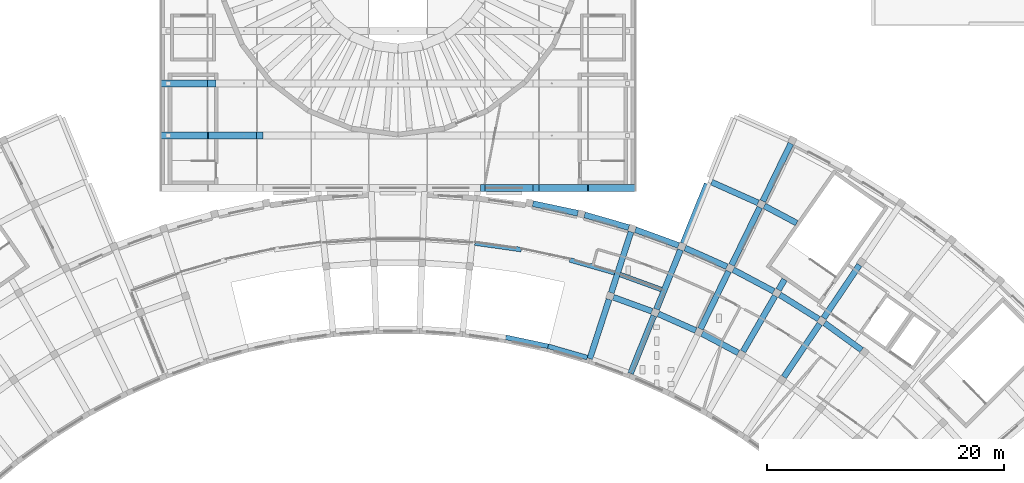
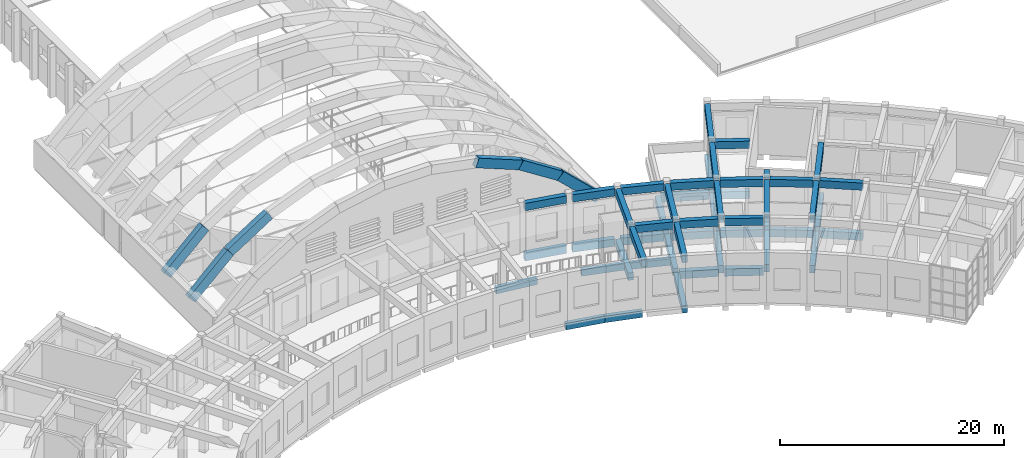
# One storey, part 11 of 94: 55 beams.
"""IFC4 building model written with IfcOpenShell, lengths in metres."""

from ifc_helpers import new_model, si_unit, direction, frame, origin, origin_2d, place, context, subcontext, project, spatial, rectangle, extrude, material, material_profile, profile_set, type_object, element, save


model = new_model("IFC4")

# Units and contexts
model_context = context("Model", 3, precision=1e-05, world=origin(), true_north=direction((0.0, 1.0)))
body_context = subcontext(model_context, "Body", "Model", "MODEL_VIEW")
ifc_project = project(units=[si_unit("LENGTHUNIT", "METRE"), si_unit("AREAUNIT", "SQUARE_METRE"), si_unit("VOLUMEUNIT", "CUBIC_METRE"), si_unit("PLANEANGLEUNIT", "RADIAN"), si_unit("MASSUNIT", "GRAM", prefix="KILO")], contexts=[model_context])

# Site, building, storey
site_placement = place(None, origin())
site = spatial("IfcSite", under=ifc_project, at=site_placement, CompositionType="ELEMENT")
building_placement = place(site_placement, origin())
building = spatial("IfcBuilding", under=site, at=building_placement, Name="Lunette Opera House", CompositionType="ELEMENT")
storey_placement = place(building_placement, frame((0.0, 0.0, 22.5)))
storey = spatial("IfcBuildingStorey", under=building, at=storey_placement, Name="L04", CompositionType="ELEMENT", Elevation=22.5)

# Beams
ifc_material_1 = material(Name="Concrete C40/50", Category="concrete")
ifc_material_profile_1 = material_profile(ifc_material_1, rectangle(XDim=0.60009765625, YDim=1.0, at=origin_2d()), Name="ARCH BEAM 600X1000")
ifc_profile_set_1 = profile_set([ifc_material_profile_1], Name="Concrete C40/50")
beam_type_1 = type_object("IfcBeamType", Name="ARCH BEAM 600X1000", PredefinedType="BEAM", material=ifc_profile_set_1)
beam_1_placement = place(storey_placement, frame((103.1689453125, 64.300048828125, 10.346923828125), z_axis=(0.92830257193, 0.0, -0.371825678172), x_axis=(0.0, 1.0, 0.0)))
element("IfcBeam", 1, at=beam_1_placement, inside=storey, type_object=beam_type_1, Name="beam-AU-L04-EA1-7", PredefinedType="BEAM", context=body_context, shape_type="SweptSolid", body=[
    extrude(rectangle(XDim=0.60009765625, YDim=1.0, at=origin_2d()), origin(), (0.0, 0.0, 1.0), 4.837890625),
])
beam_2_placement = place(storey_placement, frame((107.659912109375, 64.300048828125, 8.548095703125), z_axis=(0.84120306647, 0.0, -0.54071933659), x_axis=(0.0, 1.0, 0.0)))
element("IfcBeam", 2, at=beam_2_placement, inside=storey, type_object=beam_type_1, Name="beam-AU-L04-EA1-8", PredefinedType="BEAM", context=body_context, shape_type="SweptSolid", body=[
    extrude(rectangle(XDim=0.60009765625, YDim=1.0, at=origin_2d()), origin(), (0.0, 0.0, 1.0), 4.83837890625),
])
for number, where, z_axis, x_axis, name in (
    (3, (111.72998046875, 64.300048828125, 5.931884765625), (0.723596948656, 0.0, -0.69022275817), (0.0, 1.0, 0.0), "beam-AU-L04-EA1-9"),
    (4, (76.300048828125, 68.714111328125, 2.14501953125), (0.723596948656, 0.0, 0.69022275817), (0.0, 1.0, 0.0), "beam-AU-L04-EA2-1"),
):
    element("IfcBeam", number, at=place(storey_placement, frame(where, z_axis=z_axis, x_axis=x_axis)), inside=storey, type_object=beam_type_1, Name=name, PredefinedType="BEAM", context=body_context, shape_type="SweptSolid", body=[
        extrude(rectangle(XDim=0.60009765625, YDim=1.0, at=origin_2d()), origin(), (0.0, 0.0, 1.0), 5.486328125),
    ])
beam_3_placement = place(storey_placement, frame((80.27001953125, 68.714111328125, 5.931884765625), z_axis=(0.84120306647, 0.0, 0.54071933659), x_axis=(0.0, 1.0, 0.0)))
element("IfcBeam", 5, at=beam_3_placement, inside=storey, type_object=beam_type_1, Name="beam-AU-L04-EA2-2", PredefinedType="BEAM", context=body_context, shape_type="SweptSolid", body=[
    extrude(rectangle(XDim=0.60009765625, YDim=1.0, at=origin_2d()), origin(), (0.0, 0.0, 1.0), 4.83837890625),
])
beam_4_placement = place(storey_placement, frame((76.300048828125, 73.12890625, 2.14501953125), z_axis=(0.723596948656, 0.0, 0.69022275817), x_axis=(0.0, 1.0, 0.0)))
element("IfcBeam", 6, at=beam_4_placement, inside=storey, type_object=beam_type_1, Name="beam-AU-L04-EA3-1", PredefinedType="BEAM", context=body_context, shape_type="SweptSolid", body=[
    extrude(rectangle(XDim=0.60009765625, YDim=1.0, at=origin_2d()), origin(), (0.0, 0.0, 1.0), 5.486328125),
])
ifc_material_2 = material(Name="Concrete C35/45", Category="concrete")
ifc_material_profile_2 = material_profile(ifc_material_2, rectangle(XDim=0.39990234375, YDim=0.699951171875, at=origin_2d()), Name="RC BEAM 400X700")
ifc_profile_set_2 = profile_set([ifc_material_profile_2], Name="Concrete C35/45")
beam_type_2 = type_object("IfcBeamType", Name="RC BEAM 400X700", PredefinedType="BEAM", material=ifc_profile_set_2)
beam_5_placement = place(storey_placement, frame((102.5, 59.638916015625, -0.570068359375), z_axis=(0.990274204789, -0.139129433731, 0.0), x_axis=(0.139129433731, 0.990274204789, 0.0)))
element("IfcBeam", 7, at=beam_5_placement, inside=storey, type_object=beam_type_2, Name="beam-FC-L04-TRL04-043", PredefinedType="BEAM", context=body_context, shape_type="SweptSolid", body=[
    extrude(rectangle(XDim=0.39990234375, YDim=0.699951171875, at=origin_2d()), origin(), (0.0, 0.0, 1.0), 3.967529296875),
])
beam_6_placement = place(storey_placement, frame((110.5048828125, 58.220947265625, -0.570068359375), z_axis=(0.961195992808, -0.275866386878, 0.0), x_axis=(0.275866386878, 0.961195992808, 0.0)))
element("IfcBeam", 8, at=beam_6_placement, inside=storey, type_object=beam_type_2, Name="beam-FC-L04-TRL04-044", PredefinedType="BEAM", context=body_context, shape_type="SweptSolid", body=[
    extrude(rectangle(XDim=0.39990234375, YDim=0.699951171875, at=origin_2d()), origin(), (0.0, 0.0, 1.0), 3.96923828125),
])
beam_7_placement = place(storey_placement, frame((114.757080078125, 56.98388671875, -0.570068359375), z_axis=(0.939781948653, -0.341774617234, 0.0), x_axis=(0.341774617234, 0.939781948653, 0.0)))
element("IfcBeam", 9, at=beam_7_placement, inside=storey, type_object=beam_type_2, Name="beam-FC-L04-TRL04-045", PredefinedType="BEAM", context=body_context, shape_type="SweptSolid", body=[
    extrude(rectangle(XDim=0.39990234375, YDim=0.699951171875, at=origin_2d()), origin(), (0.0, 0.0, 1.0), 3.727294921875),
])
beam_8_placement = place(storey_placement, frame((111.9990234375, 49.968994140625, -0.570068359375), z_axis=(-0.961227143122, 0.275757827315, 0.0), x_axis=(-0.275757827315, -0.961227143122, 0.0)))
element("IfcBeam", 10, at=beam_8_placement, inside=storey, type_object=beam_type_2, Name="beam-FC-L04-TRL04-047", PredefinedType="BEAM", context=body_context, shape_type="SweptSolid", body=[
    extrude(rectangle(XDim=0.39990234375, YDim=0.699951171875, at=origin_2d()), origin(), (0.0, 0.0, 1.0), 3.451904296875),
])
beam_9_placement = place(storey_placement, frame((108.708984375, 50.9140625, -0.570068359375), z_axis=(-0.9781869111, 0.207726664037, 0.0), x_axis=(-0.207726664037, -0.9781869111, 0.0)))
element("IfcBeam", 11, at=beam_9_placement, inside=storey, type_object=beam_type_2, Name="beam-FC-L04-TRL04-048", PredefinedType="BEAM", context=body_context, shape_type="SweptSolid", body=[
    extrude(rectangle(XDim=0.39990234375, YDim=0.699951171875, at=origin_2d()), origin(), (0.0, 0.0, 1.0), 3.691650390625),
])
ifc_material_3 = material(Name="Concrete C35/45", Category="concrete")
ifc_material_profile_3 = material_profile(ifc_material_3, rectangle(XDim=0.5, YDim=0.800048828125, at=origin_2d()), Name="RC BEAM 500X800")
ifc_profile_set_3 = profile_set([ifc_material_profile_3], Name="Concrete C35/45")
beam_type_3 = type_object("IfcBeamType", Name="RC BEAM 500X800", PredefinedType="BEAM", material=ifc_profile_set_3)
beam_10_placement = place(storey_placement, frame((114.012939453125, 55.43701171875, -0.6201171875), z_axis=(0.308867082307, 0.951105212617, 0.0), x_axis=(-0.951105212617, 0.308867082307, 0.0)))
element("IfcBeam", 12, at=beam_10_placement, inside=storey, type_object=beam_type_3, Name="beam-FC-L04-L04-RB-RL-18-2", PredefinedType="BEAM", context=body_context, shape_type="SweptSolid", body=[
    extrude(rectangle(XDim=0.5, YDim=0.800048828125, at=origin_2d()), origin(), (0.0, 0.0, 1.0), 5.419921875),
])
beam_11_placement = place(storey_placement, frame((115.64404296875, 48.6220703125, -0.6201171875), z_axis=(0.374734953038, 0.927131983577, 0.0), x_axis=(-0.927131983577, 0.374734953038, 0.0)))
element("IfcBeam", 13, at=beam_11_placement, inside=storey, type_object=beam_type_3, Name="beam-FC-L04-L04-RB-RL-19-1", PredefinedType="BEAM", context=body_context, shape_type="SweptSolid", body=[
    extrude(rectangle(XDim=0.5, YDim=0.800048828125, at=origin_2d()), origin(), (0.0, 0.0, 1.0), 5.27001953125),
])
beam_12_placement = place(storey_placement, frame((117.8359375, 54.0458984375, -0.6201171875), z_axis=(0.374565086829, 0.927200623236, 0.0), x_axis=(-0.927200623236, 0.374565086829, 0.0)))
element("IfcBeam", 14, at=beam_12_placement, inside=storey, type_object=beam_type_3, Name="beam-FC-L04-L04-RB-RL-19-2", PredefinedType="BEAM", context=body_context, shape_type="SweptSolid", body=[
    extrude(rectangle(XDim=0.5, YDim=0.800048828125, at=origin_2d()), origin(), (0.0, 0.0, 1.0), 5.419677734375),
])
beam_13_placement = place(storey_placement, frame((120.0830078125, 59.60888671875, -0.6201171875), z_axis=(0.374719978652, 0.927138035893, 0.0), x_axis=(-0.927138035893, 0.374719978652, 0.0)))
element("IfcBeam", 15, at=beam_13_placement, inside=storey, type_object=beam_type_3, Name="beam-FC-L04-L04-RB-RL-19-3", PredefinedType="BEAM", context=body_context, shape_type="SweptSolid", body=[
    extrude(rectangle(XDim=0.5, YDim=0.800048828125, at=origin_2d()), origin(), (0.0, 0.0, 1.0), 5.420166015625),
])
beam_14_placement = place(storey_placement, frame((121.552978515625, 52.39111328125, -0.6201171875), z_axis=(0.438416531546, 0.898771909256, 0.0), x_axis=(-0.898771909256, 0.438416531546, 0.0)))
element("IfcBeam", 16, at=beam_14_placement, inside=storey, type_object=beam_type_3, Name="beam-FC-L04-L04-RB-RL-20-2", PredefinedType="BEAM", context=body_context, shape_type="SweptSolid", body=[
    extrude(rectangle(XDim=0.5, YDim=0.800048828125, at=origin_2d()), origin(), (0.0, 0.0, 1.0), 5.41943359375),
])
for number, where, z_axis, x_axis, name in (
    (17, (124.18310546875, 57.782958984375, -0.6201171875), (0.438327792699, 0.898815190207, 0.0), (-0.898815190207, 0.438327792699, 0.0), "beam-FC-L04-L04-RB-RL-20-3"),
    (18, (126.81298828125, 63.176025390625, -0.6201171875), (0.438327792699, 0.898815190207, 0.0), (-0.898815190207, 0.438327792699, 0.0), "beam-FC-L04-L04-RB-RL-20-4"),
):
    element("IfcBeam", number, at=place(storey_placement, frame(where, z_axis=z_axis, x_axis=x_axis)), inside=storey, type_object=beam_type_3, Name=name, PredefinedType="BEAM", context=body_context, shape_type="SweptSolid", body=[
        extrude(rectangle(XDim=0.5, YDim=0.800048828125, at=origin_2d()), origin(), (0.0, 0.0, 1.0), 5.420654296875),
    ])
beam_15_placement = place(storey_placement, frame((125.14501953125, 50.48095703125, -0.6201171875), z_axis=(0.500053916174, 0.865994273029, 0.0), x_axis=(-0.865994273029, 0.500053916174, 0.0)))
element("IfcBeam", 19, at=beam_15_placement, inside=storey, type_object=beam_type_3, Name="beam-FC-L04-L04-RB-RL-21-2", PredefinedType="BEAM", context=body_context, shape_type="SweptSolid", body=[
    extrude(rectangle(XDim=0.5, YDim=0.800048828125, at=origin_2d()), origin(), (0.0, 0.0, 1.0), 5.41943359375),
])
beam_16_placement = place(storey_placement, frame((128.14501953125, 55.677001953125, -0.6201171875), z_axis=(0.499826215357, 0.866125715149, 0.0), x_axis=(-0.866125715149, 0.499826215357, 0.0)))
element("IfcBeam", 20, at=beam_16_placement, inside=storey, type_object=beam_type_3, Name="beam-FC-L04-L04-RB-RL-21-3", PredefinedType="BEAM", context=body_context, shape_type="SweptSolid", body=[
    extrude(rectangle(XDim=0.5, YDim=0.800048828125, at=origin_2d()), origin(), (0.0, 0.0, 1.0), 1.018310546875),
])
beam_17_placement = place(storey_placement, frame((128.594970703125, 48.324951171875, -0.6201171875), z_axis=(0.559234551388, 0.829009479158, 0.0), x_axis=(-0.829009479158, 0.559234551388, 0.0)))
element("IfcBeam", 21, at=beam_17_placement, inside=storey, type_object=beam_type_3, Name="beam-FC-L04-L04-RB-RL-22-2", PredefinedType="BEAM", context=body_context, shape_type="SweptSolid", body=[
    extrude(rectangle(XDim=0.5, YDim=0.800048828125, at=origin_2d()), origin(), (0.0, 0.0, 1.0), 5.419921875),
])
beam_18_placement = place(storey_placement, frame((131.950927734375, 53.299072265625, -0.6201171875), z_axis=(0.559131586126, 0.829078928327, 0.0), x_axis=(-0.829078928327, 0.559131586126, 0.0)))
element("IfcBeam", 22, at=beam_18_placement, inside=storey, type_object=beam_type_3, Name="beam-FC-L04-L04-RB-RL-22-3", PredefinedType="BEAM", context=body_context, shape_type="SweptSolid", body=[
    extrude(rectangle(XDim=0.5, YDim=0.800048828125, at=origin_2d()), origin(), (0.0, 0.0, 1.0), 5.419189453125),
])
beam_19_placement = place(storey_placement, frame((117.991943359375, 53.658935546875, -0.6201171875), z_axis=(0.913547244718, -0.406732629216, 0.0), x_axis=(0.406732629216, 0.913547244718, 0.0)))
element("IfcBeam", 23, at=beam_19_placement, inside=storey, type_object=beam_type_3, Name="beam-FC-L04-L04-RG-AR-M1-RL-19", PredefinedType="BEAM", context=body_context, shape_type="SweptSolid", body=[
    extrude(rectangle(XDim=0.5, YDim=0.800048828125, at=origin_2d()), origin(), (0.0, 0.0, 1.0), 3.46875),
])
beam_20_placement = place(storey_placement, frame((121.681884765625, 51.993896484375, -0.6201171875), z_axis=(0.882851275799, -0.469652664019, 0.0), x_axis=(0.469652664019, 0.882851275799, 0.0)))
element("IfcBeam", 24, at=beam_20_placement, inside=storey, type_object=beam_type_3, Name="beam-FC-L04-L04-RG-AR-M1-RL-20", PredefinedType="BEAM", context=body_context, shape_type="SweptSolid", body=[
    extrude(rectangle(XDim=0.5, YDim=0.800048828125, at=origin_2d()), origin(), (0.0, 0.0, 1.0), 3.46826171875),
])
beam_21_placement = place(storey_placement, frame((107.39697265625, 62.968017578125, -0.6201171875), z_axis=(0.978098312025, -0.208143440959, 0.0), x_axis=(0.208143440959, 0.978098312025, 0.0)))
element("IfcBeam", 25, at=beam_21_placement, inside=storey, type_object=beam_type_3, Name="beam-FC-L04-L04-RG-AR-B-RL-16", PredefinedType="BEAM", context=body_context, shape_type="SweptSolid", body=[
    extrude(rectangle(XDim=0.5, YDim=0.800048828125, at=origin_2d()), origin(), (0.0, 0.0, 1.0), 3.88720703125),
])
for number, where, z_axis, x_axis, name in (
    (26, (111.761962890625, 62.01904296875, -0.6201171875), (0.96127941359, -0.275575559526, 0.0), (0.275575559526, 0.96127941359, 0.0), "beam-FC-L04-L04-RG-AR-B-RL-17"),
    (27, (116.050048828125, 60.76904296875, -0.6201171875), (0.939617227647, -0.342227213279, 0.0), (0.342227213279, 0.939617227647, 0.0), "beam-FC-L04-L04-RG-AR-B-RL-18"),
):
    element("IfcBeam", number, at=place(storey_placement, frame(where, z_axis=z_axis, x_axis=x_axis)), inside=storey, type_object=beam_type_3, Name=name, PredefinedType="BEAM", context=body_context, shape_type="SweptSolid", body=[
        extrude(rectangle(XDim=0.5, YDim=0.800048828125, at=origin_2d()), origin(), (0.0, 0.0, 1.0), 3.886474609375),
    ])
for number, where, z_axis, x_axis, name in (
    (28, (120.239990234375, 59.221923828125, -0.6201171875), (0.913565322769, -0.406692022339, 0.0), (0.406692022339, 0.913565322769, 0.0), "beam-FC-L04-L04-RG-AR-B-RL-19"),
    (29, (124.31201171875, 57.386962890625, -0.6201171875), (0.882927791084, -0.469508802614, 0.0), (0.469508802614, 0.882927791084, 0.0), "beam-FC-L04-L04-RG-AR-B-RL-20"),
):
    element("IfcBeam", number, at=place(storey_placement, frame(where, z_axis=z_axis, x_axis=x_axis)), inside=storey, type_object=beam_type_3, Name=name, PredefinedType="BEAM", context=body_context, shape_type="SweptSolid", body=[
        extrude(rectangle(XDim=0.5, YDim=0.800048828125, at=origin_2d()), origin(), (0.0, 0.0, 1.0), 3.886962890625),
    ])
beam_22_placement = place(storey_placement, frame((128.24609375, 55.27197265625, -0.6201171875), z_axis=(0.847984188279, -0.530021524496, 0.0), x_axis=(0.530021524496, 0.847984188279, 0.0)))
element("IfcBeam", 30, at=beam_22_placement, inside=storey, type_object=beam_type_3, Name="beam-FC-L04-L04-RG-AR-B-RL-21", PredefinedType="BEAM", context=body_context, shape_type="SweptSolid", body=[
    extrude(rectangle(XDim=0.5, YDim=0.800048828125, at=origin_2d()), origin(), (0.0, 0.0, 1.0), 3.88671875),
])
beam_23_placement = place(storey_placement, frame((132.02294921875, 52.886962890625, -0.6201171875), z_axis=(0.809178751177, -0.587562548708, 0.0), x_axis=(0.587562548708, 0.809178751177, 0.0)))
element("IfcBeam", 31, at=beam_23_placement, inside=storey, type_object=beam_type_3, Name="beam-FC-L04-L04-RG-AR-B-RL-22", PredefinedType="BEAM", context=body_context, shape_type="SweptSolid", body=[
    extrude(rectangle(XDim=0.5, YDim=0.800048828125, at=origin_2d()), origin(), (0.0, 0.0, 1.0), 3.885498046875),
])
beam_24_placement = place(storey_placement, frame((122.487060546875, 64.784912109375, -0.6201171875), z_axis=(0.91358695216, -0.406643432067, 0.0), x_axis=(0.406643432067, 0.91358695216, 0.0)))
element("IfcBeam", 32, at=beam_24_placement, inside=storey, type_object=beam_type_3, Name="beam-FC-L04-L04-RG-AR-M2-RL-19", PredefinedType="BEAM", context=body_context, shape_type="SweptSolid", body=[
    extrude(rectangle(XDim=0.5, YDim=0.800048828125, at=origin_2d()), origin(), (0.0, 0.0, 1.0), 4.305908203125),
])
beam_25_placement = place(storey_placement, frame((126.94189453125, 62.780029296875, -0.6201171875), z_axis=(0.882832733664, -0.469687517794, 0.0), x_axis=(0.469687517794, 0.882832733664, 0.0)))
element("IfcBeam", 33, at=beam_25_placement, inside=storey, type_object=beam_type_3, Name="beam-FC-L04-L04-RG-AR-M2-RL-20", PredefinedType="BEAM", context=body_context, shape_type="SweptSolid", body=[
    extrude(rectangle(XDim=0.5, YDim=0.800048828125, at=origin_2d()), origin(), (0.0, 0.0, 1.0), 3.095947265625),
])
beam_26_placement = place(storey_placement, frame((112.205078125, 49.873046875, 4.85009765625), z_axis=(0.308921598548, 0.951087506989, 0.0), x_axis=(-0.951087506989, 0.308921598548, 0.0)))
element("IfcBeam", 34, at=beam_26_placement, inside=storey, type_object=beam_type_3, Name="beam-FC-L04-RF-RB-RL-18-1", PredefinedType="BEAM", context=body_context, shape_type="SweptSolid", body=[
    extrude(rectangle(XDim=0.5, YDim=0.800048828125, at=origin_2d()), origin(), (0.0, 0.0, 1.0), 5.269775390625),
])
beam_27_placement = place(storey_placement, frame((114.012939453125, 55.43701171875, 4.85009765625), z_axis=(0.308867082307, 0.951105212617, 0.0), x_axis=(-0.951105212617, 0.308867082307, 0.0)))
element("IfcBeam", 35, at=beam_27_placement, inside=storey, type_object=beam_type_3, Name="beam-FC-L04-RF-RB-RL-18-2", PredefinedType="BEAM", context=body_context, shape_type="SweptSolid", body=[
    extrude(rectangle(XDim=0.5, YDim=0.800048828125, at=origin_2d()), origin(), (0.0, 0.0, 1.0), 5.419921875),
])
beam_28_placement = place(storey_placement, frame((115.64404296875, 48.6220703125, 4.85009765625), z_axis=(0.374734953038, 0.927131983577, 0.0), x_axis=(-0.927131983577, 0.374734953038, 0.0)))
element("IfcBeam", 36, at=beam_28_placement, inside=storey, type_object=beam_type_3, Name="beam-FC-L04-RF-RB-RL-19-1", PredefinedType="BEAM", context=body_context, shape_type="SweptSolid", body=[
    extrude(rectangle(XDim=0.5, YDim=0.800048828125, at=origin_2d()), origin(), (0.0, 0.0, 1.0), 5.27001953125),
])
beam_29_placement = place(storey_placement, frame((117.8359375, 54.0458984375, 4.85009765625), z_axis=(0.374565086829, 0.927200623236, 0.0), x_axis=(-0.927200623236, 0.374565086829, 0.0)))
element("IfcBeam", 37, at=beam_29_placement, inside=storey, type_object=beam_type_3, Name="beam-FC-L04-RF-RB-RL-19-2", PredefinedType="BEAM", context=body_context, shape_type="SweptSolid", body=[
    extrude(rectangle(XDim=0.5, YDim=0.800048828125, at=origin_2d()), origin(), (0.0, 0.0, 1.0), 5.419677734375),
])
beam_30_placement = place(storey_placement, frame((121.552978515625, 52.39111328125, 4.85009765625), z_axis=(0.438416531546, 0.898771909256, 0.0), x_axis=(-0.898771909256, 0.438416531546, 0.0)))
element("IfcBeam", 38, at=beam_30_placement, inside=storey, type_object=beam_type_3, Name="beam-FC-L04-RF-RB-RL-20-2", PredefinedType="BEAM", context=body_context, shape_type="SweptSolid", body=[
    extrude(rectangle(XDim=0.5, YDim=0.800048828125, at=origin_2d()), origin(), (0.0, 0.0, 1.0), 5.41943359375),
])
for number, where, z_axis, x_axis, name in (
    (39, (124.18310546875, 57.782958984375, 4.85009765625), (0.438327792699, 0.898815190207, 0.0), (-0.898815190207, 0.438327792699, 0.0), "beam-FC-L04-RF-RB-RL-20-3"),
    (40, (126.81298828125, 63.176025390625, 4.85009765625), (0.438327792699, 0.898815190207, 0.0), (-0.898815190207, 0.438327792699, 0.0), "beam-FC-L04-RF-RB-RL-20-4"),
):
    element("IfcBeam", number, at=place(storey_placement, frame(where, z_axis=z_axis, x_axis=x_axis)), inside=storey, type_object=beam_type_3, Name=name, PredefinedType="BEAM", context=body_context, shape_type="SweptSolid", body=[
        extrude(rectangle(XDim=0.5, YDim=0.800048828125, at=origin_2d()), origin(), (0.0, 0.0, 1.0), 5.420654296875),
    ])
beam_31_placement = place(storey_placement, frame((125.14501953125, 50.48095703125, 4.85009765625), z_axis=(0.500053916174, 0.865994273029, 0.0), x_axis=(-0.865994273029, 0.500053916174, 0.0)))
element("IfcBeam", 41, at=beam_31_placement, inside=storey, type_object=beam_type_3, Name="beam-FC-L04-RF-RB-RL-21-2", PredefinedType="BEAM", context=body_context, shape_type="SweptSolid", body=[
    extrude(rectangle(XDim=0.5, YDim=0.800048828125, at=origin_2d()), origin(), (0.0, 0.0, 1.0), 5.41943359375),
])
beam_32_placement = place(storey_placement, frame((128.14501953125, 55.677001953125, 4.85009765625), z_axis=(0.499826215357, 0.866125715149, 0.0), x_axis=(-0.866125715149, 0.499826215357, 0.0)))
element("IfcBeam", 42, at=beam_32_placement, inside=storey, type_object=beam_type_3, Name="beam-FC-L04-RF-RB-RL-21-3", PredefinedType="BEAM", context=body_context, shape_type="SweptSolid", body=[
    extrude(rectangle(XDim=0.5, YDim=0.800048828125, at=origin_2d()), origin(), (0.0, 0.0, 1.0), 1.018310546875),
])
beam_33_placement = place(storey_placement, frame((128.594970703125, 48.324951171875, 4.85009765625), z_axis=(0.559234551388, 0.829009479158, 0.0), x_axis=(-0.829009479158, 0.559234551388, 0.0)))
element("IfcBeam", 43, at=beam_33_placement, inside=storey, type_object=beam_type_3, Name="beam-FC-L04-RF-RB-RL-22-2", PredefinedType="BEAM", context=body_context, shape_type="SweptSolid", body=[
    extrude(rectangle(XDim=0.5, YDim=0.800048828125, at=origin_2d()), origin(), (0.0, 0.0, 1.0), 5.419921875),
])
beam_34_placement = place(storey_placement, frame((131.950927734375, 53.299072265625, 4.85009765625), z_axis=(0.559131586126, 0.829078928327, 0.0), x_axis=(-0.829078928327, 0.559131586126, 0.0)))
element("IfcBeam", 44, at=beam_34_placement, inside=storey, type_object=beam_type_3, Name="beam-FC-L04-RF-RB-RL-22-3", PredefinedType="BEAM", context=body_context, shape_type="SweptSolid", body=[
    extrude(rectangle(XDim=0.5, YDim=0.800048828125, at=origin_2d()), origin(), (0.0, 0.0, 1.0), 5.419189453125),
])
beam_35_placement = place(storey_placement, frame((114.196044921875, 55.06201171875, 4.85009765625), z_axis=(0.939674125144, -0.34207095541, 0.0), x_axis=(0.34207095541, 0.939674125144, 0.0)))
element("IfcBeam", 45, at=beam_35_placement, inside=storey, type_object=beam_type_3, Name="beam-FC-L04-RF-RG-AR-M1-RL-18", PredefinedType="BEAM", context=body_context, shape_type="SweptSolid", body=[
    extrude(rectangle(XDim=0.5, YDim=0.800048828125, at=origin_2d()), origin(), (0.0, 0.0, 1.0), 3.46728515625),
])
beam_36_placement = place(storey_placement, frame((117.991943359375, 53.658935546875, 4.85009765625), z_axis=(0.913547244718, -0.406732629216, 0.0), x_axis=(0.406732629216, 0.913547244718, 0.0)))
element("IfcBeam", 46, at=beam_36_placement, inside=storey, type_object=beam_type_3, Name="beam-FC-L04-RF-RG-AR-M1-RL-19", PredefinedType="BEAM", context=body_context, shape_type="SweptSolid", body=[
    extrude(rectangle(XDim=0.5, YDim=0.800048828125, at=origin_2d()), origin(), (0.0, 0.0, 1.0), 3.46875),
])
beam_37_placement = place(storey_placement, frame((121.681884765625, 51.993896484375, 4.85009765625), z_axis=(0.882851275799, -0.469652664019, 0.0), x_axis=(0.469652664019, 0.882851275799, 0.0)))
element("IfcBeam", 47, at=beam_37_placement, inside=storey, type_object=beam_type_3, Name="beam-FC-L04-RF-RG-AR-M1-RL-20", PredefinedType="BEAM", context=body_context, shape_type="SweptSolid", body=[
    extrude(rectangle(XDim=0.5, YDim=0.800048828125, at=origin_2d()), origin(), (0.0, 0.0, 1.0), 3.46826171875),
])
beam_38_placement = place(storey_placement, frame((107.39697265625, 62.968017578125, 4.85009765625), z_axis=(0.978098312025, -0.208143440959, 0.0), x_axis=(0.208143440959, 0.978098312025, 0.0)))
element("IfcBeam", 48, at=beam_38_placement, inside=storey, type_object=beam_type_3, Name="beam-FC-L04-RF-RG-AR-B-RL-16", PredefinedType="BEAM", context=body_context, shape_type="SweptSolid", body=[
    extrude(rectangle(XDim=0.5, YDim=0.800048828125, at=origin_2d()), origin(), (0.0, 0.0, 1.0), 3.88720703125),
])
for number, where, z_axis, x_axis, name in (
    (49, (111.761962890625, 62.01904296875, 4.85009765625), (0.96127941359, -0.275575559526, 0.0), (0.275575559526, 0.96127941359, 0.0), "beam-FC-L04-RF-RG-AR-B-RL-17"),
    (50, (116.050048828125, 60.76904296875, 4.85009765625), (0.939617227647, -0.342227213279, 0.0), (0.342227213279, 0.939617227647, 0.0), "beam-FC-L04-RF-RG-AR-B-RL-18"),
):
    element("IfcBeam", number, at=place(storey_placement, frame(where, z_axis=z_axis, x_axis=x_axis)), inside=storey, type_object=beam_type_3, Name=name, PredefinedType="BEAM", context=body_context, shape_type="SweptSolid", body=[
        extrude(rectangle(XDim=0.5, YDim=0.800048828125, at=origin_2d()), origin(), (0.0, 0.0, 1.0), 3.886474609375),
    ])
for number, where, z_axis, x_axis, name in (
    (51, (120.239990234375, 59.221923828125, 4.85009765625), (0.913565322769, -0.406692022339, 0.0), (0.406692022339, 0.913565322769, 0.0), "beam-FC-L04-RF-RG-AR-B-RL-19"),
    (52, (124.31201171875, 57.386962890625, 4.85009765625), (0.882927791084, -0.469508802614, 0.0), (0.469508802614, 0.882927791084, 0.0), "beam-FC-L04-RF-RG-AR-B-RL-20"),
):
    element("IfcBeam", number, at=place(storey_placement, frame(where, z_axis=z_axis, x_axis=x_axis)), inside=storey, type_object=beam_type_3, Name=name, PredefinedType="BEAM", context=body_context, shape_type="SweptSolid", body=[
        extrude(rectangle(XDim=0.5, YDim=0.800048828125, at=origin_2d()), origin(), (0.0, 0.0, 1.0), 3.886962890625),
    ])
beam_39_placement = place(storey_placement, frame((128.24609375, 55.27197265625, 4.85009765625), z_axis=(0.847984188279, -0.530021524496, 0.0), x_axis=(0.530021524496, 0.847984188279, 0.0)))
element("IfcBeam", 53, at=beam_39_placement, inside=storey, type_object=beam_type_3, Name="beam-FC-L04-RF-RG-AR-B-RL-21", PredefinedType="BEAM", context=body_context, shape_type="SweptSolid", body=[
    extrude(rectangle(XDim=0.5, YDim=0.800048828125, at=origin_2d()), origin(), (0.0, 0.0, 1.0), 3.88671875),
])
beam_40_placement = place(storey_placement, frame((132.02294921875, 52.886962890625, 4.85009765625), z_axis=(0.809178751177, -0.587562548708, 0.0), x_axis=(0.587562548708, 0.809178751177, 0.0)))
element("IfcBeam", 54, at=beam_40_placement, inside=storey, type_object=beam_type_3, Name="beam-FC-L04-RF-RG-AR-B-RL-22", PredefinedType="BEAM", context=body_context, shape_type="SweptSolid", body=[
    extrude(rectangle(XDim=0.5, YDim=0.800048828125, at=origin_2d()), origin(), (0.0, 0.0, 1.0), 3.885498046875),
])
beam_41_placement = place(storey_placement, frame((126.94189453125, 62.780029296875, 4.85009765625), z_axis=(0.882832733664, -0.469687517794, 0.0), x_axis=(0.469687517794, 0.882832733664, 0.0)))
element("IfcBeam", 55, at=beam_41_placement, inside=storey, type_object=beam_type_3, Name="beam-FC-L04-RF-RG-AR-M2-RL-20", PredefinedType="BEAM", context=body_context, shape_type="SweptSolid", body=[
    extrude(rectangle(XDim=0.5, YDim=0.800048828125, at=origin_2d()), origin(), (0.0, 0.0, 1.0), 3.095947265625),
])

save(model, "model.ifc")
